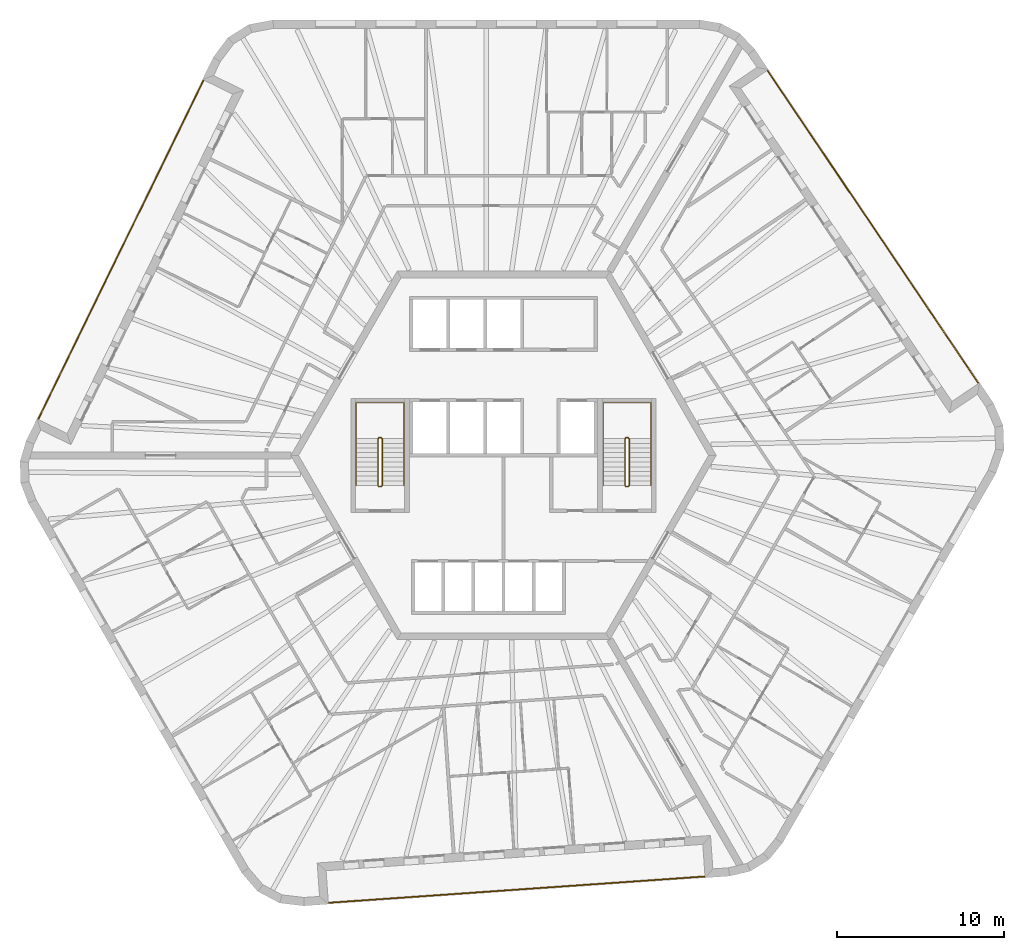
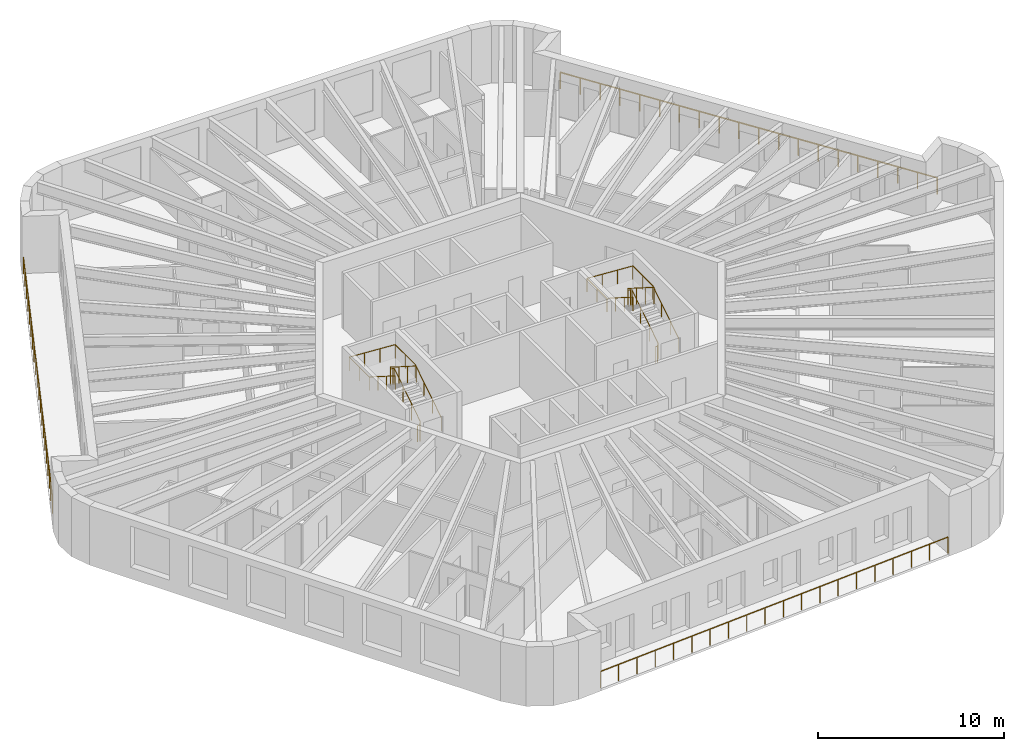
# One storey, part 12 of 12: 7 railings.
"""IFC4 building model written with IfcOpenShell, lengths in metres."""

from ifc_helpers import new_model, si_unit, direction, frame, origin, origin_2d, place, context, subcontext, project, spatial, circle, extrude, material, type_object, element, save


model = new_model("IFC4")

# Units and contexts
model_context = context("Model", 3, precision=1e-05, world=origin(), true_north=direction((0.0, 1.0)))
body_context = subcontext(model_context, "Body", "Model", "MODEL_VIEW")
ifc_project = project(units=[si_unit("LENGTHUNIT", "METRE"), si_unit("AREAUNIT", "SQUARE_METRE"), si_unit("VOLUMEUNIT", "CUBIC_METRE"), si_unit("PLANEANGLEUNIT", "RADIAN"), si_unit("MASSUNIT", "GRAM", prefix="KILO")], contexts=[model_context])

# Site, building, storey
site_placement = place(None, origin())
site = spatial("IfcSite", under=ifc_project, at=site_placement, CompositionType="ELEMENT")
building_placement = place(site_placement, origin())
building = spatial("IfcBuilding", under=site, at=building_placement, Name="Tarnside Tower", CompositionType="ELEMENT")
storey_placement = place(building_placement, frame((0.0, 0.0, 322.5)))
storey = spatial("IfcBuildingStorey", under=building, at=storey_placement, Name="L78", CompositionType="ELEMENT", Elevation=322.5)

# Railings
ifc_material_1 = material(Name="Toughened glass", Category="glass")
railing_type_1 = type_object("IfcRailingType", Name="Glass guard 1100", PredefinedType="GUARDRAIL", material=ifc_material_1)
railing_1_placement = place(storey_placement, frame((-17.906005859375, 22.415283203125, 0.0)))
element("IfcRailing", 1, at=railing_1_placement, inside=storey, type_object=railing_type_1, Name="Loggia guard L78 F2", PredefinedType="GUARDRAIL", context=body_context, shape_type="SweptSolid", body=[
    extrude(circle(Radius=0.030029296875, at=origin_2d()), frame((0.0, 0.0, 1.070068359375), z_axis=(-0.438372639335, -0.898793318335, 0.0), x_axis=(0.898793318335, -0.438372639335, 0.0)), (0.0, 0.0, 1.0), 22.544921875),
    extrude(circle(Radius=0.02490234375, at=origin_2d()), origin(), (0.0, 0.0, 1.0), 1.0400390625),
    extrude(circle(Radius=0.02490234375, at=origin_2d()), frame((-0.520263671875, -1.06640625, 0.0)), (0.0, 0.0, 1.0), 1.0400390625),
    extrude(circle(Radius=0.02490234375, at=origin_2d()), frame((-1.040283203125, -2.133056640625, 0.0)), (0.0, 0.0, 1.0), 1.0400390625),
    extrude(circle(Radius=0.02490234375, at=origin_2d()), frame((-1.560546875, -3.199462890625, 0.0)), (0.0, 0.0, 1.0), 1.0400390625),
    extrude(circle(Radius=0.02490234375, at=origin_2d()), frame((-2.08056640625, -4.265869140625, 0.0)), (0.0, 0.0, 1.0), 1.0400390625),
    extrude(circle(Radius=0.02490234375, at=origin_2d()), frame((-2.600830078125, -5.33251953125, 0.0)), (0.0, 0.0, 1.0), 1.0400390625),
    extrude(circle(Radius=0.02490234375, at=origin_2d()), frame((-3.120849609375, -6.39892578125, 0.0)), (0.0, 0.0, 1.0), 1.0400390625),
    extrude(circle(Radius=0.02490234375, at=origin_2d()), frame((-3.64111328125, -7.46533203125, 0.0)), (0.0, 0.0, 1.0), 1.0400390625),
    extrude(circle(Radius=0.02490234375, at=origin_2d()), frame((-4.161376953125, -8.531982421875, 0.0)), (0.0, 0.0, 1.0), 1.0400390625),
    extrude(circle(Radius=0.02490234375, at=origin_2d()), frame((-4.681396484375, -9.598388671875, 0.0)), (0.0, 0.0, 1.0), 1.0400390625),
    extrude(circle(Radius=0.02490234375, at=origin_2d()), frame((-5.20166015625, -10.664794921875, 0.0)), (0.0, 0.0, 1.0), 1.0400390625),
    extrude(circle(Radius=0.02490234375, at=origin_2d()), frame((-5.7216796875, -11.731201171875, 0.0)), (0.0, 0.0, 1.0), 1.0400390625),
    extrude(circle(Radius=0.02490234375, at=origin_2d()), frame((-6.241943359375, -12.7978515625, 0.0)), (0.0, 0.0, 1.0), 1.0400390625),
    extrude(circle(Radius=0.02490234375, at=origin_2d()), frame((-6.76220703125, -13.8642578125, 0.0)), (0.0, 0.0, 1.0), 1.0400390625),
    extrude(circle(Radius=0.02490234375, at=origin_2d()), frame((-7.2822265625, -14.9306640625, 0.0)), (0.0, 0.0, 1.0), 1.0400390625),
    extrude(circle(Radius=0.02490234375, at=origin_2d()), frame((-7.802490234375, -15.997314453125, 0.0)), (0.0, 0.0, 1.0), 1.0400390625),
    extrude(circle(Radius=0.02490234375, at=origin_2d()), frame((-8.322509765625, -17.063720703125, 0.0)), (0.0, 0.0, 1.0), 1.0400390625),
    extrude(circle(Radius=0.02490234375, at=origin_2d()), frame((-8.8427734375, -18.130126953125, 0.0)), (0.0, 0.0, 1.0), 1.0400390625),
    extrude(circle(Radius=0.02490234375, at=origin_2d()), frame((-9.36279296875, -19.19677734375, 0.0)), (0.0, 0.0, 1.0), 1.0400390625),
    extrude(circle(Radius=0.02490234375, at=origin_2d()), frame((-9.883056640625, -20.26318359375, 0.0)), (0.0, 0.0, 1.0), 1.0400390625),
])
railing_2_placement = place(storey_placement, frame((-10.458984375, -26.714599609375, 0.0)))
element("IfcRailing", 2, at=railing_2_placement, inside=storey, type_object=railing_type_1, Name="Loggia guard L78 F4", PredefinedType="GUARDRAIL", context=body_context, shape_type="SweptSolid", body=[
    extrude(circle(Radius=0.030029296875, at=origin_2d()), frame((0.0, 0.0, 1.070068359375), z_axis=(0.997564440639, 0.069750890837, 0.0), x_axis=(-0.069750890837, 0.997564440639, 0.0)), (0.0, 0.0, 1.0), 22.544677734375),
    extrude(circle(Radius=0.02490234375, at=origin_2d()), origin(), (0.0, 0.0, 1.0), 1.0400390625),
    extrude(circle(Radius=0.02490234375, at=origin_2d()), frame((1.18359375, 0.082763671875, 0.0)), (0.0, 0.0, 1.0), 1.0400390625),
    extrude(circle(Radius=0.02490234375, at=origin_2d()), frame((2.367431640625, 0.16552734375, 0.0)), (0.0, 0.0, 1.0), 1.0400390625),
    extrude(circle(Radius=0.02490234375, at=origin_2d()), frame((3.551025390625, 0.248291015625, 0.0)), (0.0, 0.0, 1.0), 1.0400390625),
    extrude(circle(Radius=0.02490234375, at=origin_2d()), frame((4.734619140625, 0.3310546875, 0.0)), (0.0, 0.0, 1.0), 1.0400390625),
    extrude(circle(Radius=0.02490234375, at=origin_2d()), frame((5.91845703125, 0.413818359375, 0.0)), (0.0, 0.0, 1.0), 1.0400390625),
    extrude(circle(Radius=0.02490234375, at=origin_2d()), frame((7.10205078125, 0.49658203125, 0.0)), (0.0, 0.0, 1.0), 1.0400390625),
    extrude(circle(Radius=0.02490234375, at=origin_2d()), frame((8.28564453125, 0.579345703125, 0.0)), (0.0, 0.0, 1.0), 1.0400390625),
    extrude(circle(Radius=0.02490234375, at=origin_2d()), frame((9.469482421875, 0.662109375, 0.0)), (0.0, 0.0, 1.0), 1.0400390625),
    extrude(circle(Radius=0.02490234375, at=origin_2d()), frame((10.653076171875, 0.744873046875, 0.0)), (0.0, 0.0, 1.0), 1.0400390625),
    extrude(circle(Radius=0.02490234375, at=origin_2d()), frame((11.836669921875, 0.82763671875, 0.0)), (0.0, 0.0, 1.0), 1.0400390625),
    extrude(circle(Radius=0.02490234375, at=origin_2d()), frame((13.020263671875, 0.910400390625, 0.0)), (0.0, 0.0, 1.0), 1.0400390625),
    extrude(circle(Radius=0.02490234375, at=origin_2d()), frame((14.2041015625, 0.9931640625, 0.0)), (0.0, 0.0, 1.0), 1.0400390625),
    extrude(circle(Radius=0.02490234375, at=origin_2d()), frame((15.3876953125, 1.075927734375, 0.0)), (0.0, 0.0, 1.0), 1.0400390625),
    extrude(circle(Radius=0.02490234375, at=origin_2d()), frame((16.5712890625, 1.15869140625, 0.0)), (0.0, 0.0, 1.0), 1.0400390625),
    extrude(circle(Radius=0.02490234375, at=origin_2d()), frame((17.755126953125, 1.241455078125, 0.0)), (0.0, 0.0, 1.0), 1.0400390625),
    extrude(circle(Radius=0.02490234375, at=origin_2d()), frame((18.938720703125, 1.32421875, 0.0)), (0.0, 0.0, 1.0), 1.0400390625),
    extrude(circle(Radius=0.02490234375, at=origin_2d()), frame((20.122314453125, 1.406982421875, 0.0)), (0.0, 0.0, 1.0), 1.0400390625),
    extrude(circle(Radius=0.02490234375, at=origin_2d()), frame((21.30615234375, 1.48974609375, 0.0)), (0.0, 0.0, 1.0), 1.0400390625),
    extrude(circle(Radius=0.02490234375, at=origin_2d()), frame((22.48974609375, 1.572509765625, 0.0)), (0.0, 0.0, 1.0), 1.0400390625),
])
railing_3_placement = place(storey_placement, frame((28.365234375, 4.299560546875, 0.0)))
element("IfcRailing", 3, at=railing_3_placement, inside=storey, type_object=railing_type_1, Name="Loggia guard L78 F6", PredefinedType="GUARDRAIL", context=body_context, shape_type="SweptSolid", body=[
    extrude(circle(Radius=0.030029296875, at=origin_2d()), frame((0.0, 0.0, 1.070068359375), z_axis=(-0.559195329741, 0.82903593601, 0.0), x_axis=(-0.82903593601, -0.559195329741, 0.0)), (0.0, 0.0, 1.0), 22.544677734375),
    extrude(circle(Radius=0.02490234375, at=origin_2d()), origin(), (0.0, 0.0, 1.0), 1.0400390625),
    extrude(circle(Radius=0.02490234375, at=origin_2d()), frame((-0.66357421875, 0.983642578125, 0.0)), (0.0, 0.0, 1.0), 1.0400390625),
    extrude(circle(Radius=0.02490234375, at=origin_2d()), frame((-1.3271484375, 1.967529296875, 0.0)), (0.0, 0.0, 1.0), 1.0400390625),
    extrude(circle(Radius=0.02490234375, at=origin_2d()), frame((-1.990478515625, 2.951171875, 0.0)), (0.0, 0.0, 1.0), 1.0400390625),
    extrude(circle(Radius=0.02490234375, at=origin_2d()), frame((-2.654052734375, 3.934814453125, 0.0)), (0.0, 0.0, 1.0), 1.0400390625),
    extrude(circle(Radius=0.02490234375, at=origin_2d()), frame((-3.317626953125, 4.91845703125, 0.0)), (0.0, 0.0, 1.0), 1.0400390625),
    extrude(circle(Radius=0.02490234375, at=origin_2d()), frame((-3.981201171875, 5.90234375, 0.0)), (0.0, 0.0, 1.0), 1.0400390625),
    extrude(circle(Radius=0.02490234375, at=origin_2d()), frame((-4.644775390625, 6.885986328125, 0.0)), (0.0, 0.0, 1.0), 1.0400390625),
    extrude(circle(Radius=0.02490234375, at=origin_2d()), frame((-5.30810546875, 7.86962890625, 0.0)), (0.0, 0.0, 1.0), 1.0400390625),
    extrude(circle(Radius=0.02490234375, at=origin_2d()), frame((-5.9716796875, 8.853271484375, 0.0)), (0.0, 0.0, 1.0), 1.0400390625),
    extrude(circle(Radius=0.02490234375, at=origin_2d()), frame((-6.63525390625, 9.837158203125, 0.0)), (0.0, 0.0, 1.0), 1.0400390625),
    extrude(circle(Radius=0.02490234375, at=origin_2d()), frame((-7.298828125, 10.82080078125, 0.0)), (0.0, 0.0, 1.0), 1.0400390625),
    extrude(circle(Radius=0.02490234375, at=origin_2d()), frame((-7.962158203125, 11.804443359375, 0.0)), (0.0, 0.0, 1.0), 1.0400390625),
    extrude(circle(Radius=0.02490234375, at=origin_2d()), frame((-8.625732421875, 12.7880859375, 0.0)), (0.0, 0.0, 1.0), 1.0400390625),
    extrude(circle(Radius=0.02490234375, at=origin_2d()), frame((-9.289306640625, 13.77197265625, 0.0)), (0.0, 0.0, 1.0), 1.0400390625),
    extrude(circle(Radius=0.02490234375, at=origin_2d()), frame((-9.952880859375, 14.755615234375, 0.0)), (0.0, 0.0, 1.0), 1.0400390625),
    extrude(circle(Radius=0.02490234375, at=origin_2d()), frame((-10.616455078125, 15.7392578125, 0.0)), (0.0, 0.0, 1.0), 1.0400390625),
    extrude(circle(Radius=0.02490234375, at=origin_2d()), frame((-11.27978515625, 16.722900390625, 0.0)), (0.0, 0.0, 1.0), 1.0400390625),
    extrude(circle(Radius=0.02490234375, at=origin_2d()), frame((-11.943359375, 17.706787109375, 0.0)), (0.0, 0.0, 1.0), 1.0400390625),
    extrude(circle(Radius=0.02490234375, at=origin_2d()), frame((-12.60693359375, 18.6904296875, 0.0)), (0.0, 0.0, 1.0), 1.0400390625),
])
ifc_material_2 = material(Name="Stainless steel", Category="steel")
railing_type_2 = type_object("IfcRailingType", Name="Stair guard 1100", PredefinedType="GUARDRAIL", material=ifc_material_2)
railing_4_placement = place(storey_placement, frame((7.300048828125, -1.85009765625, 0.0)))
element("IfcRailing", 4, at=railing_4_placement, inside=storey, type_object=railing_type_2, Name="L78 ST1 stair guard 1", PredefinedType="GUARDRAIL", context=body_context, shape_type="SweptSolid", body=[
    extrude(circle(Radius=0.02392578125, at=origin_2d()), frame((0.0, 0.0, 1.076171875), z_axis=(1.0, 0.0, 0.0), x_axis=(0.0, 1.0, 0.0)), (0.0, 0.0, 1.0), 0.14990234375),
    extrude(circle(Radius=0.02392578125, at=origin_2d()), frame((0.14990234375, 0.0, 1.076171875), z_axis=(0.262233686654, 0.262233686654, 0.928691007369), x_axis=(-0.707106781187, 0.707106781187, 0.0)), (0.0, 0.0, 1.0), 0.19091796875),
    extrude(circle(Radius=0.02392578125, at=origin_2d()), frame((0.199951171875, 0.050048828125, 1.25341796875), z_axis=(0.0, 0.844908973607, 0.534910110503), x_axis=(-1.0, 0.0, 0.0)), (0.0, 0.0, 1.0), 3.31396484375),
    extrude(circle(Radius=0.02392578125, at=origin_2d()), frame((0.199951171875, 2.85009765625, 3.02587890625), z_axis=(-0.707106781187, 0.707106781187, 0.0), x_axis=(-0.707106781187, -0.707106781187, 0.0)), (0.0, 0.0, 1.0), 0.07080078125),
    extrude(circle(Radius=0.02392578125, at=origin_2d()), frame((0.14990234375, 2.900146484375, 3.02587890625), z_axis=(-1.0, 0.0, 0.0), x_axis=(0.0, -1.0, 0.0)), (0.0, 0.0, 1.0), 0.14990234375),
    extrude(circle(Radius=0.02392578125, at=origin_2d()), frame((0.0, 2.900146484375, 3.02587890625), z_axis=(-0.262233686654, -0.262233686654, 0.928691007369), x_axis=(0.707106781187, -0.707106781187, 0.0)), (0.0, 0.0, 1.0), 0.19091796875),
    extrude(circle(Radius=0.02392578125, at=origin_2d()), frame((-0.050048828125, 2.85009765625, 3.203125), z_axis=(0.0, -0.844908973607, 0.534910110503), x_axis=(1.0, 0.0, 0.0)), (0.0, 0.0, 1.0), 3.31396484375),
    extrude(circle(Radius=0.02099609375, at=origin_2d()), origin(), (0.0, 0.0, 1.0), 1.052001953125),
    extrude(circle(Radius=0.02099609375, at=origin_2d()), frame((0.14990234375, 0.0, 0.0)), (0.0, 0.0, 1.0), 1.052001953125),
    extrude(circle(Radius=0.02099609375, at=origin_2d()), frame((0.199951171875, 0.050048828125, 0.17724609375)), (0.0, 0.0, 1.0), 1.052001953125),
    extrude(circle(Radius=0.02099609375, at=origin_2d()), frame((0.199951171875, 0.9833984375, 0.76806640625)), (0.0, 0.0, 1.0), 1.052001953125),
    extrude(circle(Radius=0.02099609375, at=origin_2d()), frame((0.199951171875, 1.916748046875, 1.359130859375)), (0.0, 0.0, 1.0), 1.052001953125),
    extrude(circle(Radius=0.02099609375, at=origin_2d()), frame((0.199951171875, 2.85009765625, 1.949951171875)), (0.0, 0.0, 1.0), 1.052001953125),
    extrude(circle(Radius=0.02099609375, at=origin_2d()), frame((0.14990234375, 2.900146484375, 1.949951171875)), (0.0, 0.0, 1.0), 1.052001953125),
    extrude(circle(Radius=0.02099609375, at=origin_2d()), frame((0.0, 2.900146484375, 1.949951171875)), (0.0, 0.0, 1.0), 1.052001953125),
    extrude(circle(Radius=0.02099609375, at=origin_2d()), frame((-0.050048828125, 2.85009765625, 2.127197265625)), (0.0, 0.0, 1.0), 1.052001953125),
    extrude(circle(Radius=0.02099609375, at=origin_2d()), frame((-0.050048828125, 1.916748046875, 2.718017578125)), (0.0, 0.0, 1.0), 1.052001953125),
    extrude(circle(Radius=0.02099609375, at=origin_2d()), frame((-0.050048828125, 0.9833984375, 3.30908203125)), (0.0, 0.0, 1.0), 1.052001953125),
    extrude(circle(Radius=0.02099609375, at=origin_2d()), frame((-0.050048828125, 0.050048828125, 3.89990234375)), (0.0, 0.0, 1.0), 1.052001953125),
])
railing_5_placement = place(storey_placement, frame((-7.449951171875, -1.85009765625, 0.0)))
element("IfcRailing", 5, at=railing_5_placement, inside=storey, type_object=railing_type_2, Name="L78 ST2 stair guard 1", PredefinedType="GUARDRAIL", context=body_context, shape_type="SweptSolid", body=[
    extrude(circle(Radius=0.02392578125, at=origin_2d()), frame((0.0, 0.0, 1.076171875), z_axis=(1.0, 0.0, 0.0), x_axis=(0.0, 1.0, 0.0)), (0.0, 0.0, 1.0), 0.14990234375),
    extrude(circle(Radius=0.02392578125, at=origin_2d()), frame((0.14990234375, 0.0, 1.076171875), z_axis=(0.262233686654, 0.262233686654, 0.928691007369), x_axis=(-0.707106781187, 0.707106781187, 0.0)), (0.0, 0.0, 1.0), 0.19091796875),
    extrude(circle(Radius=0.02392578125, at=origin_2d()), frame((0.199951171875, 0.050048828125, 1.25341796875), z_axis=(0.0, 0.844908973607, 0.534910110503), x_axis=(-1.0, 0.0, 0.0)), (0.0, 0.0, 1.0), 3.31396484375),
    extrude(circle(Radius=0.02392578125, at=origin_2d()), frame((0.199951171875, 2.85009765625, 3.02587890625), z_axis=(-0.707106781187, 0.707106781187, 0.0), x_axis=(-0.707106781187, -0.707106781187, 0.0)), (0.0, 0.0, 1.0), 0.07080078125),
    extrude(circle(Radius=0.02392578125, at=origin_2d()), frame((0.14990234375, 2.900146484375, 3.02587890625), z_axis=(-1.0, 0.0, 0.0), x_axis=(0.0, -1.0, 0.0)), (0.0, 0.0, 1.0), 0.14990234375),
    extrude(circle(Radius=0.02392578125, at=origin_2d()), frame((0.0, 2.900146484375, 3.02587890625), z_axis=(-0.262233686654, -0.262233686654, 0.928691007369), x_axis=(0.707106781187, -0.707106781187, 0.0)), (0.0, 0.0, 1.0), 0.19091796875),
    extrude(circle(Radius=0.02392578125, at=origin_2d()), frame((-0.050048828125, 2.85009765625, 3.203125), z_axis=(0.0, -0.844908973607, 0.534910110503), x_axis=(1.0, 0.0, 0.0)), (0.0, 0.0, 1.0), 3.31396484375),
    extrude(circle(Radius=0.02099609375, at=origin_2d()), origin(), (0.0, 0.0, 1.0), 1.052001953125),
    extrude(circle(Radius=0.02099609375, at=origin_2d()), frame((0.14990234375, 0.0, 0.0)), (0.0, 0.0, 1.0), 1.052001953125),
    extrude(circle(Radius=0.02099609375, at=origin_2d()), frame((0.199951171875, 0.050048828125, 0.17724609375)), (0.0, 0.0, 1.0), 1.052001953125),
    extrude(circle(Radius=0.02099609375, at=origin_2d()), frame((0.199951171875, 0.9833984375, 0.76806640625)), (0.0, 0.0, 1.0), 1.052001953125),
    extrude(circle(Radius=0.02099609375, at=origin_2d()), frame((0.199951171875, 1.916748046875, 1.359130859375)), (0.0, 0.0, 1.0), 1.052001953125),
    extrude(circle(Radius=0.02099609375, at=origin_2d()), frame((0.199951171875, 2.85009765625, 1.949951171875)), (0.0, 0.0, 1.0), 1.052001953125),
    extrude(circle(Radius=0.02099609375, at=origin_2d()), frame((0.14990234375, 2.900146484375, 1.949951171875)), (0.0, 0.0, 1.0), 1.052001953125),
    extrude(circle(Radius=0.02099609375, at=origin_2d()), frame((0.0, 2.900146484375, 1.949951171875)), (0.0, 0.0, 1.0), 1.052001953125),
    extrude(circle(Radius=0.02099609375, at=origin_2d()), frame((-0.050048828125, 2.85009765625, 2.127197265625)), (0.0, 0.0, 1.0), 1.052001953125),
    extrude(circle(Radius=0.02099609375, at=origin_2d()), frame((-0.050048828125, 1.916748046875, 2.718017578125)), (0.0, 0.0, 1.0), 1.052001953125),
    extrude(circle(Radius=0.02099609375, at=origin_2d()), frame((-0.050048828125, 0.9833984375, 3.30908203125)), (0.0, 0.0, 1.0), 1.052001953125),
    extrude(circle(Radius=0.02099609375, at=origin_2d()), frame((-0.050048828125, 0.050048828125, 3.89990234375)), (0.0, 0.0, 1.0), 1.052001953125),
])
railing_type_3 = type_object("IfcRailingType", Name="Stair handrail 900", PredefinedType="HANDRAIL", material=ifc_material_2)
railing_6_placement = place(storey_placement, frame((8.800048828125, -1.800048828125, 0.17724609375)))
element("IfcRailing", 6, at=railing_6_placement, inside=storey, type_object=railing_type_3, Name="L78 ST1 stair handrail 1", PredefinedType="HANDRAIL", context=body_context, shape_type="SweptSolid", body=[
    extrude(circle(Radius=0.02392578125, at=origin_2d()), frame((0.0, 0.0, 0.8857421875), z_axis=(0.0, 0.844908973607, 0.534910110503), x_axis=(-1.0, 0.0, 0.0)), (0.0, 0.0, 1.0), 3.31396484375),
    extrude(circle(Radius=0.02392578125, at=origin_2d()), frame((0.0, 2.800048828125, 2.65869140625), z_axis=(0.0, 1.0, 0.0), x_axis=(-1.0, 0.0, 0.0)), (0.0, 0.0, 1.0), 2.14990234375),
    extrude(circle(Radius=0.02392578125, at=origin_2d()), frame((0.0, 4.949951171875, 2.65869140625), z_axis=(-0.998071825391, 0.0, 0.06206956872), x_axis=(0.0, -1.0, 0.0)), (0.0, 0.0, 1.0), 2.855712890625),
    extrude(circle(Radius=0.02392578125, at=origin_2d()), frame((-2.85009765625, 4.949951171875, 2.8359375), z_axis=(0.0, -1.0, 0.0), x_axis=(1.0, 0.0, 0.0)), (0.0, 0.0, 1.0), 2.14990234375),
    extrude(circle(Radius=0.02392578125, at=origin_2d()), frame((-2.85009765625, 2.800048828125, 2.8359375), z_axis=(0.0, -0.844908973607, 0.534910110503), x_axis=(1.0, 0.0, 0.0)), (0.0, 0.0, 1.0), 3.31396484375),
    extrude(circle(Radius=0.02099609375, at=origin_2d()), origin(), (0.0, 0.0, 1.0), 0.86181640625),
    extrude(circle(Radius=0.02099609375, at=origin_2d()), frame((0.0, 0.933349609375, 0.5908203125)), (0.0, 0.0, 1.0), 0.86181640625),
    extrude(circle(Radius=0.02099609375, at=origin_2d()), frame((0.0, 1.86669921875, 1.181884765625)), (0.0, 0.0, 1.0), 0.86181640625),
    extrude(circle(Radius=0.02099609375, at=origin_2d()), frame((0.0, 2.800048828125, 1.772705078125)), (0.0, 0.0, 1.0), 0.86181640625),
    extrude(circle(Radius=0.02099609375, at=origin_2d()), frame((0.0, 3.875, 1.772705078125)), (0.0, 0.0, 1.0), 0.86181640625),
    extrude(circle(Radius=0.02099609375, at=origin_2d()), frame((0.0, 4.949951171875, 1.772705078125)), (0.0, 0.0, 1.0), 0.86181640625),
    extrude(circle(Radius=0.02099609375, at=origin_2d()), frame((-0.949951171875, 4.949951171875, 1.831787109375)), (0.0, 0.0, 1.0), 0.86181640625),
    extrude(circle(Radius=0.02099609375, at=origin_2d()), frame((-1.900146484375, 4.949951171875, 1.890869140625)), (0.0, 0.0, 1.0), 0.86181640625),
    extrude(circle(Radius=0.02099609375, at=origin_2d()), frame((-2.85009765625, 4.949951171875, 1.949951171875)), (0.0, 0.0, 1.0), 0.86181640625),
    extrude(circle(Radius=0.02099609375, at=origin_2d()), frame((-2.85009765625, 3.875, 1.949951171875)), (0.0, 0.0, 1.0), 0.86181640625),
    extrude(circle(Radius=0.02099609375, at=origin_2d()), frame((-2.85009765625, 2.800048828125, 1.949951171875)), (0.0, 0.0, 1.0), 0.86181640625),
    extrude(circle(Radius=0.02099609375, at=origin_2d()), frame((-2.85009765625, 1.86669921875, 2.540771484375)), (0.0, 0.0, 1.0), 0.86181640625),
    extrude(circle(Radius=0.02099609375, at=origin_2d()), frame((-2.85009765625, 0.933349609375, 3.1318359375)), (0.0, 0.0, 1.0), 0.86181640625),
    extrude(circle(Radius=0.02099609375, at=origin_2d()), frame((-2.85009765625, 0.0, 3.72265625)), (0.0, 0.0, 1.0), 0.86181640625),
])
railing_7_placement = place(storey_placement, frame((-5.949951171875, -1.800048828125, 0.17724609375)))
element("IfcRailing", 7, at=railing_7_placement, inside=storey, type_object=railing_type_3, Name="L78 ST2 stair handrail 1", PredefinedType="HANDRAIL", context=body_context, shape_type="SweptSolid", body=[
    extrude(circle(Radius=0.02392578125, at=origin_2d()), frame((0.0, 0.0, 0.8857421875), z_axis=(0.0, 0.844908973607, 0.534910110503), x_axis=(-1.0, 0.0, 0.0)), (0.0, 0.0, 1.0), 3.31396484375),
    extrude(circle(Radius=0.02392578125, at=origin_2d()), frame((0.0, 2.800048828125, 2.65869140625), z_axis=(0.0, 1.0, 0.0), x_axis=(-1.0, 0.0, 0.0)), (0.0, 0.0, 1.0), 2.14990234375),
    extrude(circle(Radius=0.02392578125, at=origin_2d()), frame((0.0, 4.949951171875, 2.65869140625), z_axis=(-0.998071825391, 0.0, 0.06206956872), x_axis=(0.0, -1.0, 0.0)), (0.0, 0.0, 1.0), 2.855712890625),
    extrude(circle(Radius=0.02392578125, at=origin_2d()), frame((-2.85009765625, 4.949951171875, 2.8359375), z_axis=(0.0, -1.0, 0.0), x_axis=(1.0, 0.0, 0.0)), (0.0, 0.0, 1.0), 2.14990234375),
    extrude(circle(Radius=0.02392578125, at=origin_2d()), frame((-2.85009765625, 2.800048828125, 2.8359375), z_axis=(0.0, -0.844908973607, 0.534910110503), x_axis=(1.0, 0.0, 0.0)), (0.0, 0.0, 1.0), 3.31396484375),
    extrude(circle(Radius=0.02099609375, at=origin_2d()), origin(), (0.0, 0.0, 1.0), 0.86181640625),
    extrude(circle(Radius=0.02099609375, at=origin_2d()), frame((0.0, 0.933349609375, 0.5908203125)), (0.0, 0.0, 1.0), 0.86181640625),
    extrude(circle(Radius=0.02099609375, at=origin_2d()), frame((0.0, 1.86669921875, 1.181884765625)), (0.0, 0.0, 1.0), 0.86181640625),
    extrude(circle(Radius=0.02099609375, at=origin_2d()), frame((0.0, 2.800048828125, 1.772705078125)), (0.0, 0.0, 1.0), 0.86181640625),
    extrude(circle(Radius=0.02099609375, at=origin_2d()), frame((0.0, 3.875, 1.772705078125)), (0.0, 0.0, 1.0), 0.86181640625),
    extrude(circle(Radius=0.02099609375, at=origin_2d()), frame((0.0, 4.949951171875, 1.772705078125)), (0.0, 0.0, 1.0), 0.86181640625),
    extrude(circle(Radius=0.02099609375, at=origin_2d()), frame((-0.949951171875, 4.949951171875, 1.831787109375)), (0.0, 0.0, 1.0), 0.86181640625),
    extrude(circle(Radius=0.02099609375, at=origin_2d()), frame((-1.900146484375, 4.949951171875, 1.890869140625)), (0.0, 0.0, 1.0), 0.86181640625),
    extrude(circle(Radius=0.02099609375, at=origin_2d()), frame((-2.85009765625, 4.949951171875, 1.949951171875)), (0.0, 0.0, 1.0), 0.86181640625),
    extrude(circle(Radius=0.02099609375, at=origin_2d()), frame((-2.85009765625, 3.875, 1.949951171875)), (0.0, 0.0, 1.0), 0.86181640625),
    extrude(circle(Radius=0.02099609375, at=origin_2d()), frame((-2.85009765625, 2.800048828125, 1.949951171875)), (0.0, 0.0, 1.0), 0.86181640625),
    extrude(circle(Radius=0.02099609375, at=origin_2d()), frame((-2.85009765625, 1.86669921875, 2.540771484375)), (0.0, 0.0, 1.0), 0.86181640625),
    extrude(circle(Radius=0.02099609375, at=origin_2d()), frame((-2.85009765625, 0.933349609375, 3.1318359375)), (0.0, 0.0, 1.0), 0.86181640625),
    extrude(circle(Radius=0.02099609375, at=origin_2d()), frame((-2.85009765625, 0.0, 3.72265625)), (0.0, 0.0, 1.0), 0.86181640625),
])

save(model, "model.ifc")
